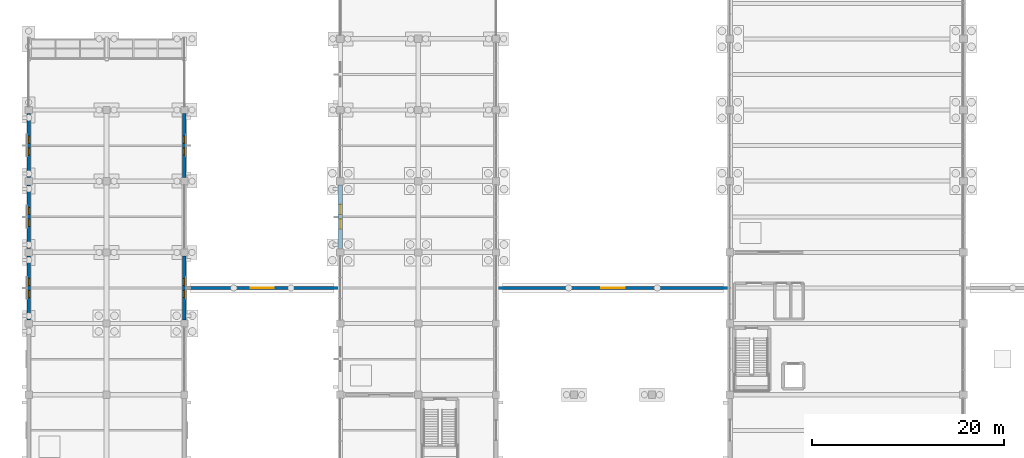
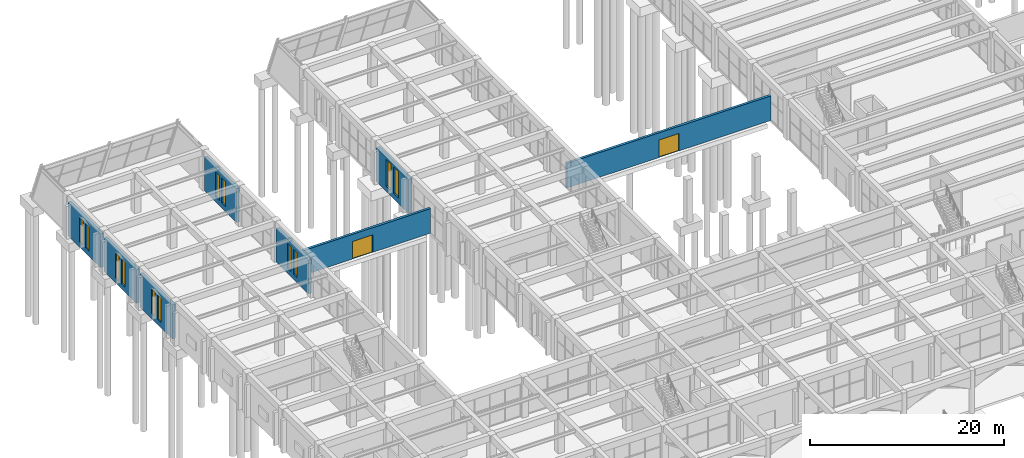
# One storey, part 127 of 140: 12 windows, 8 walls, 2 doors, 14 openings.
"""IFC4 building model written with IfcOpenShell, lengths in metres."""

import ifcopenshell
import ifcopenshell.guid

model = None  # the IFC model being written
_history = None  # IfcOwnerHistory: only IFC2X3 demands one
_inside = {}  # id of a spatial element -> (the spatial element, [elements in it])
_under = {}  # id of a project, library or spatial element -> (it, [spatial elements below it])
_declared = {}  # id of a project -> (the project, [libraries it declares])
_typed = {}  # id of a type object -> (the type object, [elements of that type])
_made_of = {}  # id of a material, layer set ... -> (it, [elements and type objects made of it])


def new_model(schema):
    """Start an empty IFC model of exactly this schema.

    Asked for "IFC4X3", IfcOpenShell would pick the latest addendum, in which some entities
    have other attributes; the version numbers below select the first issue.
    IFC2X3 requires an IfcOwnerHistory on every rooted entity: one is made here for all.
    """
    global model, _history
    if schema == "IFC4X3":
        model = ifcopenshell.file(schema_version=(4, 3, 0, 0))
    else:
        model = ifcopenshell.file(schema=schema)
    _inside.clear()
    _under.clear()
    _declared.clear()
    _typed.clear()
    _made_of.clear()
    _history = None
    if model.schema == "IFC2X3":
        org = make("IfcOrganization", Name="unknown")
        user = make(
            "IfcPersonAndOrganization",
            ThePerson=make("IfcPerson", FamilyName="unknown"),
            TheOrganization=org,
        )
        app = make(
            "IfcApplication",
            ApplicationDeveloper=org,
            Version="unknown",
            ApplicationFullName="unknown",
            ApplicationIdentifier="unknown",
        )
        _history = make(
            "IfcOwnerHistory",
            OwningUser=user,
            OwningApplication=app,
            ChangeAction="ADDED",
            CreationDate=0,
        )
    return model


def make(cls, **values):
    """One entity of the class cls with the attributes given. An attribute that is None is left unset."""
    return model.create_entity(
        cls, **{name: value for name, value in values.items() if value is not None}
    )


def rooted(cls, **values):
    """An entity with a GlobalId (a new one), such as an element, a storey or a relation."""
    return make(cls, GlobalId=ifcopenshell.guid.new(), OwnerHistory=_history, **values)


def si_unit(unit_type, name, prefix=None):
    """IfcSIUnit, for example si_unit("LENGTHUNIT", "METRE", prefix="MILLI")."""
    return make("IfcSIUnit", UnitType=unit_type, Prefix=prefix, Name=name)


def assignment(units):
    """IfcUnitAssignment: the units of a project."""
    return None if units is None else make("IfcUnitAssignment", Units=units)


def point(xyz):
    """IfcCartesianPoint."""
    return None if xyz is None else make("IfcCartesianPoint", Coordinates=xyz)


def direction(xyz):
    """IfcDirection."""
    return None if xyz is None else make("IfcDirection", DirectionRatios=xyz)


def frame(location, z_axis=None, x_axis=None):
    """IfcAxis2Placement3D, a coordinate frame: its origin and axes. An axis left out is left unset."""
    return make(
        "IfcAxis2Placement3D",
        Location=point(location),
        Axis=direction(z_axis),
        RefDirection=direction(x_axis),
    )


def frame_2d(location, x_axis=None):
    """IfcAxis2Placement2D, a coordinate frame in the plane: its origin and x axis."""
    return make(
        "IfcAxis2Placement2D", Location=point(location), RefDirection=direction(x_axis)
    )


def origin():
    """The frame at (0, 0, 0) with its axes left unset."""
    return frame((0.0, 0.0, 0.0))


def place(relative_to, where):
    """IfcLocalPlacement: puts the frame where relative to a parent placement (None: the world)."""
    return make(
        "IfcLocalPlacement", PlacementRelTo=relative_to, RelativePlacement=where
    )


def context(
    kind, dimensions, precision=None, world=None, true_north=None, identifier=None
):
    """IfcGeometricRepresentationContext, for example the 3D "Model" context."""
    return make(
        "IfcGeometricRepresentationContext",
        ContextIdentifier=identifier,
        ContextType=kind,
        CoordinateSpaceDimension=dimensions,
        Precision=precision,
        WorldCoordinateSystem=world,
        TrueNorth=true_north,
    )


def subcontext(parent, identifier, kind, view, scale=None):
    """IfcGeometricRepresentationSubContext, for example "Body" below "Model"."""
    return make(
        "IfcGeometricRepresentationSubContext",
        ContextIdentifier=identifier,
        ContextType=kind,
        ParentContext=parent,
        TargetScale=scale,
        TargetView=view,
    )


def project(units=None, contexts=None):
    """IfcProject with its units and contexts."""
    return rooted(
        "IfcProject",
        Name="project",
        RepresentationContexts=contexts,
        UnitsInContext=assignment(units),
    )


def spatial(cls, under=None, at=None, **own):
    """A site, building, storey or space (cls), placed at a placement, below another one or the project."""
    s = rooted(cls, ObjectPlacement=at, **own)
    if under is not None:
        _under.setdefault(under.id(), (under, []))[1].append(s)
    return s


def profile(cls, at=None, kind="AREA", **sizes):
    """A parametric profile (cls). Its sizes go by their IFC names, for example OverallWidth=200.0."""
    return make(cls, ProfileType=kind, Position=at, **sizes)


def rectangle(**sizes):
    """IfcRectangleProfileDef."""
    return profile("IfcRectangleProfileDef", **sizes)


def extrude(swept, where, along, depth):
    """IfcExtrudedAreaSolid: the profile swept, set in the frame where, extruded along a direction by depth."""
    return make(
        "IfcExtrudedAreaSolid",
        SweptArea=swept,
        Position=where,
        ExtrudedDirection=direction(along),
        Depth=depth,
    )


def shape(context_of_items, identifier, shape_type, items):
    """IfcShapeRepresentation: the items that make up one representation, for example the "Body"."""
    return make(
        "IfcShapeRepresentation",
        ContextOfItems=context_of_items,
        RepresentationIdentifier=identifier,
        RepresentationType=shape_type,
        Items=items,
    )


def material(Name=None, Category=None):
    """IfcMaterial."""
    return make("IfcMaterial", Name=Name, Category=Category)


def layer(
    of_material, thickness, ventilated=None, Name=None, Category=None, Priority=None
):
    """IfcMaterialLayer: one layer of a wall or slab, of a material (None: an air gap)."""
    return make(
        "IfcMaterialLayer",
        Material=of_material,
        LayerThickness=thickness,
        IsVentilated=ventilated,
        Name=Name,
        Category=Category,
        Priority=Priority,
    )


def layer_set(layers, Name=None):
    """IfcMaterialLayerSet."""
    return make("IfcMaterialLayerSet", MaterialLayers=layers, LayerSetName=Name)


def made_of(thing, what):
    """Note that an element or type object is made of a material, layer set ...; save() writes the relation."""
    if what is not None:
        _made_of.setdefault(what.id(), (what, []))[1].append(thing)
    return thing


def type_object(cls, material=None, **own):
    """A type object (cls), such as IfcWallType, which elements share."""
    return made_of(rooted(cls, **own), material)


def element(
    cls,
    number,
    at=None,
    inside=None,
    cuts=None,
    type_object=None,
    material=None,
    context=None,
    identifier="Body",
    shape_type=None,
    held_by="IfcProductDefinitionShape",
    body=None,
    shapes=None,
    **own,
):
    """One element of the class cls, such as IfcWall. Its Tag is "e" and its number.

    at: its placement. inside: the storey or other place that contains it. cuts: it is an
    opening in that element (IfcRelVoidsElement). A single representation is given by context,
    identifier, shape_type and body (its items); several are given by shapes. held_by: the class
    of the entity that holds the representations. save() writes the other relations.
    """
    e = rooted(cls, Tag="e%d" % number, ObjectPlacement=at, **own)
    if body is not None:
        shapes = [shape(context, identifier, shape_type, body)]
    if shapes is not None:
        e.Representation = make(held_by, Representations=shapes)
    if inside is not None:
        _inside.setdefault(inside.id(), (inside, []))[1].append(e)
    if cuts is not None:
        rooted(
            "IfcRelVoidsElement", RelatingBuildingElement=cuts, RelatedOpeningElement=e
        )
    if type_object is not None:
        _typed.setdefault(type_object.id(), (type_object, []))[1].append(e)
    return made_of(e, material)


def fill(opening, filler):
    """IfcRelFillsElement: the door or window that sits in an opening."""
    return rooted(
        "IfcRelFillsElement",
        RelatingOpeningElement=opening,
        RelatedBuildingElement=filler,
    )


def aggregate(whole, parts):
    """IfcRelAggregates: a whole, such as a stair, and the parts it consists of."""
    return rooted("IfcRelAggregates", RelatingObject=whole, RelatedObjects=parts)


def save(model, path):
    """Write the relations noted so far, then the file.

    IfcRelAggregates (storeys below a building ...), IfcRelContainedInSpatialStructure (elements
    in a storey), IfcRelDefinesByType, IfcRelAssociatesMaterial and IfcRelDeclares: one each for
    every whole, place, type object, material and project.
    """
    for whole, parts in _under.values():
        aggregate(whole, parts)
    for where, things in _inside.values():
        rooted(
            "IfcRelContainedInSpatialStructure",
            RelatedElements=things,
            RelatingStructure=where,
        )
    for kind, things in _typed.values():
        rooted("IfcRelDefinesByType", RelatedObjects=things, RelatingType=kind)
    for what, things in _made_of.values():
        rooted("IfcRelAssociatesMaterial", RelatedObjects=things, RelatingMaterial=what)
    for by, libraries in _declared.values():
        rooted("IfcRelDeclares", RelatingContext=by, RelatedDefinitions=libraries)
    model.write(path)


model = new_model("IFC4")

# Units and contexts
model_context = context("Model", 3, precision=1e-05, world=origin(), true_north=direction((0.0, 1.0)))
body_context = subcontext(model_context, "Body", "Model", "MODEL_VIEW")
ifc_project = project(units=[si_unit("LENGTHUNIT", "METRE"), si_unit("AREAUNIT", "SQUARE_METRE"), si_unit("VOLUMEUNIT", "CUBIC_METRE"), si_unit("PLANEANGLEUNIT", "RADIAN"), si_unit("MASSUNIT", "GRAM", prefix="KILO")], contexts=[model_context])

# Site, building, storey
site_placement = place(None, origin())
site = spatial("IfcSite", under=ifc_project, at=site_placement, CompositionType="ELEMENT")
building_placement = place(site_placement, origin())
building = spatial("IfcBuilding", under=site, at=building_placement, Name="Cimatlan Art Gallery", CompositionType="ELEMENT")
storey_placement = place(building_placement, origin())
storey = spatial("IfcBuildingStorey", under=building, at=storey_placement, Name="L00", CompositionType="ELEMENT", Elevation=0.0)

# Wall, openings, windows
ifc_material_1 = material(Name="Precast concrete C40/50", Category="concrete")
ifc_layer_1 = layer(ifc_material_1, 0.43994140625)
ifc_layer_set_1 = layer_set([ifc_layer_1], Name="Precast concrete C40/50")
wall_type_1 = type_object("IfcWallType", Name="WL-EXT-CAN-440", PredefinedType="SOLIDWALL", material=ifc_layer_set_1)
wall_1_placement = place(storey_placement, frame((34.39990234375, 76.0791015625, 0.0), z_axis=(0.0, 0.0, 1.0), x_axis=(0.0, 1.0, 0.0)))
wall_1 = element("IfcWall", 1, at=wall_1_placement, inside=storey, type_object=wall_type_1, Name="WL-EXT-L00-04-10-W", PredefinedType="SOLIDWALL", context=body_context, shape_type="SweptSolid", body=[
    extrude(rectangle(XDim=6.641845703125, YDim=0.43994140625, at=frame_2d((3.32080078125, 0.0))), origin(), (0.0, 0.0, 1.0), 4.27001953125),
])
opening_1_placement = place(wall_1_placement, frame((2.06103515625, 0.0, 0.64990234375)))
opening_1 = element("IfcOpeningElement", 2, at=opening_1_placement, cuts=wall_1, Name="Opening WN-0039", PredefinedType="OPENING", context=body_context, shape_type="SweptSolid", body=[
    extrude(rectangle(XDim=1.02001953125, YDim=3.3798828125, at=frame_2d((0.510009765625, 1.68994140625))), frame((0.0, 0.22998046875, 0.0), z_axis=(0.0, -1.0, 0.0), x_axis=(1.0, 0.0, 0.0)), (0.0, 0.0, 1.0), 0.4599609375),
])
opening_2_placement = place(wall_1_placement, frame((3.56103515625, 0.0, 0.64990234375)))
opening_2 = element("IfcOpeningElement", 3, at=opening_2_placement, cuts=wall_1, Name="Opening WN-0040", PredefinedType="OPENING", context=body_context, shape_type="SweptSolid", body=[
    extrude(rectangle(XDim=1.02001953125, YDim=3.3798828125, at=frame_2d((0.510009765625, 1.68994140625))), frame((0.0, 0.22998046875, 0.0), z_axis=(0.0, -1.0, 0.0), x_axis=(1.0, 0.0, 0.0)), (0.0, 0.0, 1.0), 0.4599609375),
])
ifc_material_2 = material(Name="Low-E laminated double glazing in bronze lancet frame", Category="glass")
window_type_1 = type_object("IfcWindowType", Name="WIN-PAV-W0-1020X3380", PartitioningType="SINGLE_PANEL", PredefinedType="WINDOW", material=ifc_material_2)
window_1_placement = place(opening_1_placement, origin())
window_1 = element("IfcWindow", 4, at=window_1_placement, inside=storey, type_object=window_type_1, Name="WIN-0039", OverallHeight=3.3798828125, OverallWidth=1.02001953125, PartitioningType="SINGLE_PANEL", PredefinedType="WINDOW", context=body_context, shape_type="SweptSolid", body=[
    extrude(rectangle(XDim=1.02001953125, YDim=3.3798828125, at=frame_2d((0.510009765625, 1.68994140625))), frame((0.0, 0.030029296875, 0.0), z_axis=(0.0, -1.0, 0.0), x_axis=(1.0, 0.0, 0.0)), (0.0, 0.0, 1.0), 0.06005859375),
])
fill(opening_1, window_1)
window_2_placement = place(opening_2_placement, origin())
window_2 = element("IfcWindow", 5, at=window_2_placement, inside=storey, type_object=window_type_1, Name="WIN-0040", OverallHeight=3.3798828125, OverallWidth=1.02001953125, PartitioningType="SINGLE_PANEL", PredefinedType="WINDOW", context=body_context, shape_type="SweptSolid", body=[
    extrude(rectangle(XDim=1.02001953125, YDim=3.3798828125, at=frame_2d((0.510009765625, 1.68994140625))), frame((0.0, 0.030029296875, 0.0), z_axis=(0.0, -1.0, 0.0), x_axis=(1.0, 0.0, 0.0)), (0.0, 0.0, 1.0), 0.06005859375),
])
fill(opening_2, window_2)

# Wall, opening, door
ifc_layer_2 = layer(ifc_material_1, 0.294921875)
ifc_layer_set_2 = layer_set([ifc_layer_2], Name="Precast concrete C40/50")
wall_type_2 = type_object("IfcWallType", Name="WL-EXT-CLN-295", PredefinedType="SOLIDWALL", material=ifc_layer_set_2)
wall_2_placement = place(storey_placement, frame((18.2099609375, 72.0, 0.0), z_axis=(0.0, 0.0, 1.0), x_axis=(1.0, 0.0, 0.0)))
wall_2 = element("IfcWall", 6, at=wall_2_placement, inside=storey, type_object=wall_type_2, Name="WL-CGS-1", PredefinedType="SOLIDWALL", context=body_context, shape_type="SweptSolid", body=[
    extrude(rectangle(XDim=16.179931640625, YDim=0.294921875, at=frame_2d((8.08984375, 0.0))), origin(), (0.0, 0.0, 1.0), 3.10009765625),
])
opening_3_placement = place(wall_2_placement, frame((6.889892578125, 0.0, 0.0)))
opening_3 = element("IfcOpeningElement", 7, at=opening_3_placement, cuts=wall_2, Name="Opening GT-01", PredefinedType="OPENING", context=body_context, shape_type="SweptSolid", body=[
    extrude(rectangle(XDim=2.39990234375, YDim=2.199951171875, at=frame_2d((1.199951171875, 1.10009765625))), frame((0.0, 0.157470703125, 0.0), z_axis=(0.0, -1.0, 0.0), x_axis=(1.0, 0.0, 0.0)), (0.0, 0.0, 1.0), 0.31494140625),
])
ifc_material_3 = material(Name="Painted architectural steel gate", Category="steel")
door_type = type_object("IfcDoorType", Name="GT-EX-2400", OperationType="NOTDEFINED", PredefinedType="GATE", material=ifc_material_3)
door_1_placement = place(opening_3_placement, origin())
door_1 = element("IfcDoor", 8, at=door_1_placement, inside=storey, type_object=door_type, Name="GT-01", OperationType="DOUBLE_SWING_LEFT", OverallHeight=2.199951171875, OverallWidth=2.39990234375, PredefinedType="GATE", context=body_context, shape_type="SweptSolid", body=[
    extrude(rectangle(XDim=2.39990234375, YDim=2.199951171875, at=frame_2d((1.199951171875, 1.10009765625))), frame((0.0, 0.02490234375, 0.0), z_axis=(0.0, -1.0, 0.0), x_axis=(1.0, 0.0, 0.0)), (0.0, 0.0, 1.0), 0.050048828125),
])
fill(opening_3, door_1)

wall_3_placement = place(storey_placement, frame((50.610107421875, 72.0, 0.0), z_axis=(0.0, 0.0, 1.0), x_axis=(1.0, 0.0, 0.0)))
wall_3 = element("IfcWall", 9, at=wall_3_placement, inside=storey, type_object=wall_type_2, Name="WL-CGS-2", PredefinedType="SOLIDWALL", context=body_context, shape_type="SweptSolid", body=[
    extrude(rectangle(XDim=24.27978515625, YDim=0.294921875, at=frame_2d((12.139892578125, 0.0))), origin(), (0.0, 0.0, 1.0), 3.10009765625),
])
opening_4_placement = place(wall_3_placement, frame((10.93994140625, 0.0, 0.0)))
opening_4 = element("IfcOpeningElement", 10, at=opening_4_placement, cuts=wall_3, Name="Opening GT-02", PredefinedType="OPENING", context=body_context, shape_type="SweptSolid", body=[
    extrude(rectangle(XDim=2.39990234375, YDim=2.199951171875, at=frame_2d((1.199951171875, 1.10009765625))), frame((0.0, 0.157470703125, 0.0), z_axis=(0.0, -1.0, 0.0), x_axis=(1.0, 0.0, 0.0)), (0.0, 0.0, 1.0), 0.31494140625),
])
door_2_placement = place(opening_4_placement, origin())
door_2 = element("IfcDoor", 11, at=door_2_placement, inside=storey, type_object=door_type, Name="GT-02", OperationType="DOUBLE_SWING_LEFT", OverallHeight=2.199951171875, OverallWidth=2.39990234375, PredefinedType="GATE", context=body_context, shape_type="SweptSolid", body=[
    extrude(rectangle(XDim=2.39990234375, YDim=2.199951171875, at=frame_2d((1.199951171875, 1.10009765625))), frame((0.0, 0.02490234375, 0.0), z_axis=(0.0, -1.0, 0.0), x_axis=(1.0, 0.0, 0.0)), (0.0, 0.0, 1.0), 0.050048828125),
])
fill(opening_4, door_2)

# Wall, openings, windows
ifc_layer_3 = layer(ifc_material_1, 0.364990234375)
ifc_layer_set_3 = layer_set([ifc_layer_3], Name="Precast concrete C40/50")
wall_type_3 = type_object("IfcWallType", Name="WL-EXT-VLT-365", PredefinedType="SOLIDWALL", material=ifc_layer_set_3)
wall_4_placement = place(storey_placement, frame((2.0, 68.678955078125, 0.0), z_axis=(0.0, 0.0, 1.0), x_axis=(0.0, 1.0, 0.0)))
wall_4 = element("IfcWall", 12, at=wall_4_placement, inside=storey, type_object=wall_type_3, Name="WL-EXT-L00-00-09-W", PredefinedType="SOLIDWALL", context=body_context, shape_type="SweptSolid", body=[
    extrude(rectangle(XDim=6.64208984375, YDim=0.364990234375, at=frame_2d((3.321044921875, 0.0))), origin(), (0.0, 0.0, 1.0), 4.27001953125),
])
opening_5_placement = place(wall_4_placement, frame((2.3310546875, 0.0, 0.64990234375)))
opening_5 = element("IfcOpeningElement", 13, at=opening_5_placement, cuts=wall_4, Name="Opening WN-0017", PredefinedType="OPENING", context=body_context, shape_type="SweptSolid", body=[
    extrude(rectangle(XDim=0.75, YDim=3.10009765625, at=frame_2d((0.375, 1.550048828125))), frame((0.0, 0.1923828125, 0.0), z_axis=(0.0, -1.0, 0.0), x_axis=(1.0, 0.0, 0.0)), (0.0, 0.0, 1.0), 0.385009765625),
])
opening_6_placement = place(wall_4_placement, frame((3.56103515625, 0.0, 0.64990234375)))
opening_6 = element("IfcOpeningElement", 14, at=opening_6_placement, cuts=wall_4, Name="Opening WN-0018", PredefinedType="OPENING", context=body_context, shape_type="SweptSolid", body=[
    extrude(rectangle(XDim=0.75, YDim=3.10009765625, at=frame_2d((0.375, 1.550048828125))), frame((0.0, 0.1923828125, 0.0), z_axis=(0.0, -1.0, 0.0), x_axis=(1.0, 0.0, 0.0)), (0.0, 0.0, 1.0), 0.385009765625),
])
window_type_2 = type_object("IfcWindowType", Name="WIN-CNS-L00-0750X3100", PartitioningType="SINGLE_PANEL", PredefinedType="WINDOW", material=ifc_material_2)
window_3_placement = place(opening_5_placement, origin())
window_3 = element("IfcWindow", 15, at=window_3_placement, inside=storey, type_object=window_type_2, Name="WIN-0017", OverallHeight=3.10009765625, OverallWidth=0.75, PartitioningType="SINGLE_PANEL", PredefinedType="WINDOW", context=body_context, shape_type="SweptSolid", body=[
    extrude(rectangle(XDim=0.75, YDim=3.10009765625, at=frame_2d((0.375, 1.550048828125))), frame((0.0, 0.030029296875, 0.0), z_axis=(0.0, -1.0, 0.0), x_axis=(1.0, 0.0, 0.0)), (0.0, 0.0, 1.0), 0.06005859375),
])
fill(opening_5, window_3)
window_4_placement = place(opening_6_placement, origin())
window_4 = element("IfcWindow", 16, at=window_4_placement, inside=storey, type_object=window_type_2, Name="WIN-0018", OverallHeight=3.10009765625, OverallWidth=0.75, PartitioningType="SINGLE_PANEL", PredefinedType="WINDOW", context=body_context, shape_type="SweptSolid", body=[
    extrude(rectangle(XDim=0.75, YDim=3.10009765625, at=frame_2d((0.375, 1.550048828125))), frame((0.0, 0.030029296875, 0.0), z_axis=(0.0, -1.0, 0.0), x_axis=(1.0, 0.0, 0.0)), (0.0, 0.0, 1.0), 0.06005859375),
])
fill(opening_6, window_4)

wall_5_placement = place(storey_placement, frame((2.0, 76.0791015625, 0.0), z_axis=(0.0, 0.0, 1.0), x_axis=(0.0, 1.0, 0.0)))
wall_5 = element("IfcWall", 17, at=wall_5_placement, inside=storey, type_object=wall_type_3, Name="WL-EXT-L00-00-10-W", PredefinedType="SOLIDWALL", context=body_context, shape_type="SweptSolid", body=[
    extrude(rectangle(XDim=6.641845703125, YDim=0.364990234375, at=frame_2d((3.32080078125, 0.0))), origin(), (0.0, 0.0, 1.0), 4.27001953125),
])
opening_7_placement = place(wall_5_placement, frame((2.3310546875, 0.0, 0.64990234375)))
opening_7 = element("IfcOpeningElement", 18, at=opening_7_placement, cuts=wall_5, Name="Opening WN-0019", PredefinedType="OPENING", context=body_context, shape_type="SweptSolid", body=[
    extrude(rectangle(XDim=0.75, YDim=3.10009765625, at=frame_2d((0.375, 1.550048828125))), frame((0.0, 0.1923828125, 0.0), z_axis=(0.0, -1.0, 0.0), x_axis=(1.0, 0.0, 0.0)), (0.0, 0.0, 1.0), 0.385009765625),
])
opening_8_placement = place(wall_5_placement, frame((3.56103515625, 0.0, 0.64990234375)))
opening_8 = element("IfcOpeningElement", 19, at=opening_8_placement, cuts=wall_5, Name="Opening WN-0020", PredefinedType="OPENING", context=body_context, shape_type="SweptSolid", body=[
    extrude(rectangle(XDim=0.75, YDim=3.10009765625, at=frame_2d((0.375, 1.550048828125))), frame((0.0, 0.1923828125, 0.0), z_axis=(0.0, -1.0, 0.0), x_axis=(1.0, 0.0, 0.0)), (0.0, 0.0, 1.0), 0.385009765625),
])
window_5_placement = place(opening_7_placement, origin())
window_5 = element("IfcWindow", 20, at=window_5_placement, inside=storey, type_object=window_type_2, Name="WIN-0019", OverallHeight=3.10009765625, OverallWidth=0.75, PartitioningType="SINGLE_PANEL", PredefinedType="WINDOW", context=body_context, shape_type="SweptSolid", body=[
    extrude(rectangle(XDim=0.75, YDim=3.10009765625, at=frame_2d((0.375, 1.550048828125))), frame((0.0, 0.030029296875, 0.0), z_axis=(0.0, -1.0, 0.0), x_axis=(1.0, 0.0, 0.0)), (0.0, 0.0, 1.0), 0.06005859375),
])
fill(opening_7, window_5)
window_6_placement = place(opening_8_placement, origin())
window_6 = element("IfcWindow", 21, at=window_6_placement, inside=storey, type_object=window_type_2, Name="WIN-0020", OverallHeight=3.10009765625, OverallWidth=0.75, PartitioningType="SINGLE_PANEL", PredefinedType="WINDOW", context=body_context, shape_type="SweptSolid", body=[
    extrude(rectangle(XDim=0.75, YDim=3.10009765625, at=frame_2d((0.375, 1.550048828125))), frame((0.0, 0.030029296875, 0.0), z_axis=(0.0, -1.0, 0.0), x_axis=(1.0, 0.0, 0.0)), (0.0, 0.0, 1.0), 0.06005859375),
])
fill(opening_8, window_6)

wall_6_placement = place(storey_placement, frame((2.0, 83.47900390625, 0.0), z_axis=(0.0, 0.0, 1.0), x_axis=(0.0, 1.0, 0.0)))
wall_6 = element("IfcWall", 22, at=wall_6_placement, inside=storey, type_object=wall_type_3, Name="WL-EXT-L00-00-11-W", PredefinedType="SOLIDWALL", context=body_context, shape_type="SweptSolid", body=[
    extrude(rectangle(XDim=6.64208984375, YDim=0.364990234375, at=frame_2d((3.321044921875, 0.0))), origin(), (0.0, 0.0, 1.0), 4.27001953125),
])
opening_9_placement = place(wall_6_placement, frame((2.3310546875, 0.0, 0.64990234375)))
opening_9 = element("IfcOpeningElement", 23, at=opening_9_placement, cuts=wall_6, Name="Opening WN-0021", PredefinedType="OPENING", context=body_context, shape_type="SweptSolid", body=[
    extrude(rectangle(XDim=0.75, YDim=3.10009765625, at=frame_2d((0.375, 1.550048828125))), frame((0.0, 0.1923828125, 0.0), z_axis=(0.0, -1.0, 0.0), x_axis=(1.0, 0.0, 0.0)), (0.0, 0.0, 1.0), 0.385009765625),
])
opening_10_placement = place(wall_6_placement, frame((3.56103515625, 0.0, 0.64990234375)))
opening_10 = element("IfcOpeningElement", 24, at=opening_10_placement, cuts=wall_6, Name="Opening WN-0022", PredefinedType="OPENING", context=body_context, shape_type="SweptSolid", body=[
    extrude(rectangle(XDim=0.75, YDim=3.10009765625, at=frame_2d((0.375, 1.550048828125))), frame((0.0, 0.1923828125, 0.0), z_axis=(0.0, -1.0, 0.0), x_axis=(1.0, 0.0, 0.0)), (0.0, 0.0, 1.0), 0.385009765625),
])
window_7_placement = place(opening_9_placement, origin())
window_7 = element("IfcWindow", 25, at=window_7_placement, inside=storey, type_object=window_type_2, Name="WIN-0021", OverallHeight=3.10009765625, OverallWidth=0.75, PartitioningType="SINGLE_PANEL", PredefinedType="WINDOW", context=body_context, shape_type="SweptSolid", body=[
    extrude(rectangle(XDim=0.75, YDim=3.10009765625, at=frame_2d((0.375, 1.550048828125))), frame((0.0, 0.030029296875, 0.0), z_axis=(0.0, -1.0, 0.0), x_axis=(1.0, 0.0, 0.0)), (0.0, 0.0, 1.0), 0.06005859375),
])
fill(opening_9, window_7)
window_8_placement = place(opening_10_placement, origin())
window_8 = element("IfcWindow", 26, at=window_8_placement, inside=storey, type_object=window_type_2, Name="WIN-0022", OverallHeight=3.10009765625, OverallWidth=0.75, PartitioningType="SINGLE_PANEL", PredefinedType="WINDOW", context=body_context, shape_type="SweptSolid", body=[
    extrude(rectangle(XDim=0.75, YDim=3.10009765625, at=frame_2d((0.375, 1.550048828125))), frame((0.0, 0.030029296875, 0.0), z_axis=(0.0, -1.0, 0.0), x_axis=(1.0, 0.0, 0.0)), (0.0, 0.0, 1.0), 0.06005859375),
])
fill(opening_10, window_8)

wall_7_placement = place(storey_placement, frame((18.199951171875, 75.321044921875, 0.0), z_axis=(0.0, 0.0, 1.0), x_axis=(0.0, -1.0, 0.0)))
wall_7 = element("IfcWall", 27, at=wall_7_placement, inside=storey, type_object=wall_type_3, Name="WL-EXT-L00-01-09-E", PredefinedType="SOLIDWALL", context=body_context, shape_type="SweptSolid", body=[
    extrude(rectangle(XDim=6.64208984375, YDim=0.364990234375, at=frame_2d((3.321044921875, 0.0))), origin(), (0.0, 0.0, 1.0), 4.27001953125),
])
opening_11_placement = place(wall_7_placement, frame((2.3310546875, 0.0, 0.64990234375)))
opening_11 = element("IfcOpeningElement", 28, at=opening_11_placement, cuts=wall_7, Name="Opening WN-0025", PredefinedType="OPENING", context=body_context, shape_type="SweptSolid", body=[
    extrude(rectangle(XDim=0.75, YDim=3.10009765625, at=frame_2d((0.375, 1.550048828125))), frame((0.0, 0.1923828125, 0.0), z_axis=(0.0, -1.0, 0.0), x_axis=(1.0, 0.0, 0.0)), (0.0, 0.0, 1.0), 0.385009765625),
])
opening_12_placement = place(wall_7_placement, frame((3.56103515625, 0.0, 0.64990234375)))
opening_12 = element("IfcOpeningElement", 29, at=opening_12_placement, cuts=wall_7, Name="Opening WN-0026", PredefinedType="OPENING", context=body_context, shape_type="SweptSolid", body=[
    extrude(rectangle(XDim=0.75, YDim=3.10009765625, at=frame_2d((0.375, 1.550048828125))), frame((0.0, 0.1923828125, 0.0), z_axis=(0.0, -1.0, 0.0), x_axis=(1.0, 0.0, 0.0)), (0.0, 0.0, 1.0), 0.385009765625),
])
window_9_placement = place(opening_11_placement, origin())
window_9 = element("IfcWindow", 30, at=window_9_placement, inside=storey, type_object=window_type_2, Name="WIN-0025", OverallHeight=3.10009765625, OverallWidth=0.75, PartitioningType="SINGLE_PANEL", PredefinedType="WINDOW", context=body_context, shape_type="SweptSolid", body=[
    extrude(rectangle(XDim=0.75, YDim=3.10009765625, at=frame_2d((0.375, 1.550048828125))), frame((0.0, 0.030029296875, 0.0), z_axis=(0.0, -1.0, 0.0), x_axis=(1.0, 0.0, 0.0)), (0.0, 0.0, 1.0), 0.06005859375),
])
fill(opening_11, window_9)
window_10_placement = place(opening_12_placement, origin())
window_10 = element("IfcWindow", 31, at=window_10_placement, inside=storey, type_object=window_type_2, Name="WIN-0026", OverallHeight=3.10009765625, OverallWidth=0.75, PartitioningType="SINGLE_PANEL", PredefinedType="WINDOW", context=body_context, shape_type="SweptSolid", body=[
    extrude(rectangle(XDim=0.75, YDim=3.10009765625, at=frame_2d((0.375, 1.550048828125))), frame((0.0, 0.030029296875, 0.0), z_axis=(0.0, -1.0, 0.0), x_axis=(1.0, 0.0, 0.0)), (0.0, 0.0, 1.0), 0.06005859375),
])
fill(opening_12, window_10)

wall_8_placement = place(storey_placement, frame((18.199951171875, 90.12109375, 0.0), z_axis=(0.0, 0.0, 1.0), x_axis=(0.0, -1.0, 0.0)))
wall_8 = element("IfcWall", 32, at=wall_8_placement, inside=storey, type_object=wall_type_3, Name="WL-EXT-L00-01-11-E", PredefinedType="SOLIDWALL", context=body_context, shape_type="SweptSolid", body=[
    extrude(rectangle(XDim=6.64208984375, YDim=0.364990234375, at=frame_2d((3.321044921875, 0.0))), origin(), (0.0, 0.0, 1.0), 4.27001953125),
])
opening_13_placement = place(wall_8_placement, frame((2.3310546875, 0.0, 0.64990234375)))
opening_13 = element("IfcOpeningElement", 33, at=opening_13_placement, cuts=wall_8, Name="Opening WN-0027", PredefinedType="OPENING", context=body_context, shape_type="SweptSolid", body=[
    extrude(rectangle(XDim=0.75, YDim=3.10009765625, at=frame_2d((0.375, 1.550048828125))), frame((0.0, 0.1923828125, 0.0), z_axis=(0.0, -1.0, 0.0), x_axis=(1.0, 0.0, 0.0)), (0.0, 0.0, 1.0), 0.385009765625),
])
opening_14_placement = place(wall_8_placement, frame((3.56103515625, 0.0, 0.64990234375)))
opening_14 = element("IfcOpeningElement", 34, at=opening_14_placement, cuts=wall_8, Name="Opening WN-0028", PredefinedType="OPENING", context=body_context, shape_type="SweptSolid", body=[
    extrude(rectangle(XDim=0.75, YDim=3.10009765625, at=frame_2d((0.375, 1.550048828125))), frame((0.0, 0.1923828125, 0.0), z_axis=(0.0, -1.0, 0.0), x_axis=(1.0, 0.0, 0.0)), (0.0, 0.0, 1.0), 0.385009765625),
])
window_11_placement = place(opening_13_placement, origin())
window_11 = element("IfcWindow", 35, at=window_11_placement, inside=storey, type_object=window_type_2, Name="WIN-0027", OverallHeight=3.10009765625, OverallWidth=0.75, PartitioningType="SINGLE_PANEL", PredefinedType="WINDOW", context=body_context, shape_type="SweptSolid", body=[
    extrude(rectangle(XDim=0.75, YDim=3.10009765625, at=frame_2d((0.375, 1.550048828125))), frame((0.0, 0.030029296875, 0.0), z_axis=(0.0, -1.0, 0.0), x_axis=(1.0, 0.0, 0.0)), (0.0, 0.0, 1.0), 0.06005859375),
])
fill(opening_13, window_11)
window_12_placement = place(opening_14_placement, origin())
window_12 = element("IfcWindow", 36, at=window_12_placement, inside=storey, type_object=window_type_2, Name="WIN-0028", OverallHeight=3.10009765625, OverallWidth=0.75, PartitioningType="SINGLE_PANEL", PredefinedType="WINDOW", context=body_context, shape_type="SweptSolid", body=[
    extrude(rectangle(XDim=0.75, YDim=3.10009765625, at=frame_2d((0.375, 1.550048828125))), frame((0.0, 0.030029296875, 0.0), z_axis=(0.0, -1.0, 0.0), x_axis=(1.0, 0.0, 0.0)), (0.0, 0.0, 1.0), 0.06005859375),
])
fill(opening_14, window_12)

save(model, "model.ifc")
